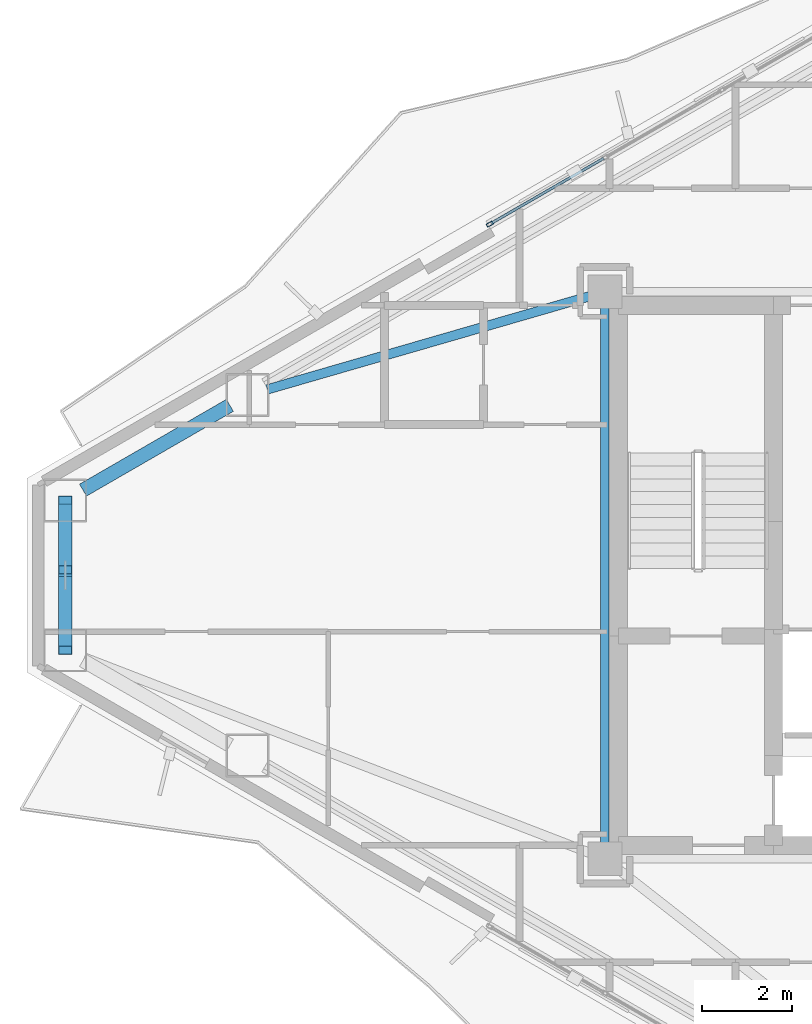
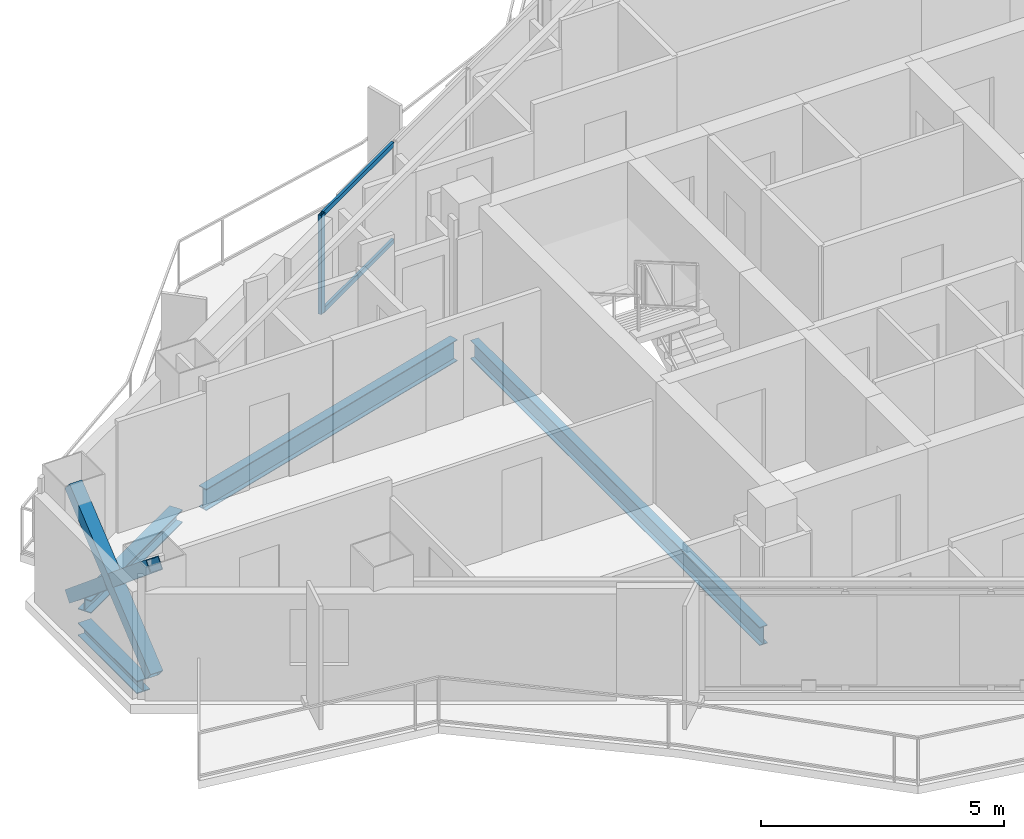
# One storey, part 7 of 22: 6 members, 4 beams, 1 element without a shape of its own.
"""IFC4 building model written with IfcOpenShell, lengths in metres."""

from ifc_helpers import new_model, si_unit, direction, frame, origin, origin_2d, place, context, subcontext, project, spatial, hollow_rectangle, i_section, extrude, material, layer, layer_set, material_profile, profile_set, type_object, element, aggregate, save


model = new_model("IFC4")

# Units and contexts
model_context = context("Model", 3, precision=1e-05, world=origin(), true_north=direction((0.0, 1.0)))
body_context = subcontext(model_context, "Body", "Model", "MODEL_VIEW")
ifc_project = project(units=[si_unit("LENGTHUNIT", "METRE"), si_unit("AREAUNIT", "SQUARE_METRE"), si_unit("VOLUMEUNIT", "CUBIC_METRE"), si_unit("PLANEANGLEUNIT", "RADIAN"), si_unit("MASSUNIT", "GRAM", prefix="KILO")], contexts=[model_context])

# Site, building, storey
site_placement = place(None, origin())
site = spatial("IfcSite", under=ifc_project, at=site_placement, CompositionType="ELEMENT")
building_placement = place(site_placement, origin())
building = spatial("IfcBuilding", under=site, at=building_placement, Name="Mersakhor Tower and Convention Hall", CompositionType="ELEMENT")
storey_placement = place(building_placement, frame((0.0, 0.0, 192.0)))
storey = spatial("IfcBuildingStorey", under=building, at=storey_placement, Name="L53", CompositionType="ELEMENT", Elevation=192.0)

# Beams
ifc_material_1 = material(Name="Steel S355", Category="steel")
ifc_material_profile_1 = material_profile(ifc_material_1, i_section(OverallWidth=0.19140625, OverallDepth=0.4599609375, WebThickness=0.010009765625, FlangeThickness=0.01611328125, at=origin_2d()), Name="UB 457x191x82")
ifc_profile_set_1 = profile_set([ifc_material_profile_1], Name="Steel S355")
beam_type_1 = type_object("IfcBeamType", Name="BM-FB-457", PredefinedType="BEAM", material=ifc_profile_set_1)
beam_1_placement = place(storey_placement, frame((21.89990234375, 20.804931640625, -0.4599609375), z_axis=(0.0, 1.0, 0.0), x_axis=(-1.0, 0.0, 0.0)))
element("IfcBeam", 1, at=beam_1_placement, inside=storey, type_object=beam_type_1, Name="L53 Core Ring Tie Beam CRB-1", PredefinedType="BEAM", context=body_context, shape_type="SweptSolid", body=[
    extrude(i_section(OverallWidth=0.19140625, OverallDepth=0.4599609375, WebThickness=0.010009765625, FlangeThickness=0.01611328125, at=origin_2d()), origin(), (0.0, 0.0, 1.0), 11.89013671875),
])
ifc_material_2 = material(Name="Steel S355", Category="steel")
ifc_material_profile_2 = material_profile(ifc_material_2, i_section(OverallWidth=0.2099609375, OverallDepth=0.53662109375, WebThickness=0.0107421875, FlangeThickness=0.017333984375, at=origin_2d()), Name="UB 533x210x101")
ifc_profile_set_2 = profile_set([ifc_material_profile_2], Name="Steel S355")
beam_type_2 = type_object("IfcBeamType", Name="BM-FB-533", PredefinedType="BEAM", material=ifc_profile_set_2)
beam_2_placement = place(storey_placement, frame((21.55908203125, 32.951416015625, -0.498291015625), z_axis=(-0.960669154125, -0.277695474059, 0.0), x_axis=(0.277695474059, -0.960669154125, 0.0)))
element("IfcBeam", 2, at=beam_2_placement, inside=storey, type_object=beam_type_2, Name="L53 Primary Floor Girder FG-1", PredefinedType="BEAM", context=body_context, shape_type="SweptSolid", body=[
    extrude(i_section(OverallWidth=0.2099609375, OverallDepth=0.53662109375, WebThickness=0.0107421875, FlangeThickness=0.017333984375, at=origin_2d()), origin(), (0.0, 0.0, 1.0), 7.455322265625),
])
ifc_material_3 = material(Name="Steel S355", Category="steel")
ifc_material_profile_3 = material_profile(ifc_material_3, i_section(OverallWidth=0.30908203125, OverallDepth=0.320556640625, WebThickness=0.013916015625, FlangeThickness=0.021728515625, at=origin_2d()), Name="UC 305x305x137")
ifc_profile_set_3 = profile_set([ifc_material_profile_3], Name="Steel S355")
beam_type_3 = type_object("IfcBeamType", Name="BM-SPD-UC305", PredefinedType="SPANDREL", material=ifc_profile_set_3)
beam_3_placement = place(storey_placement, frame((10.301513671875, 28.642822265625, -0.39013671875), z_axis=(0.866046450459, 0.499963544319, 0.0), x_axis=(-0.499963544319, 0.866046450459, 0.0)))
element("IfcBeam", 3, at=beam_3_placement, inside=storey, type_object=beam_type_3, Name="L53 Perimeter Spandrel Beam SPB-01", PredefinedType="SPANDREL", context=body_context, shape_type="SweptSolid", body=[
    extrude(i_section(OverallWidth=0.30908203125, OverallDepth=0.320556640625, WebThickness=0.013916015625, FlangeThickness=0.021728515625, at=origin_2d()), origin(), (0.0, 0.0, 1.0), 3.769287109375),
])
beam_4_placement = place(storey_placement, frame((9.907470703125, 25.539794921875, -0.39013671875), z_axis=(0.0, 1.0, 0.0), x_axis=(-1.0, 0.0, 0.0)))
element("IfcBeam", 4, at=beam_4_placement, inside=storey, type_object=beam_type_3, Name="L53 Perimeter Spandrel Beam SPB-12", PredefinedType="SPANDREL", context=body_context, shape_type="SweptSolid", body=[
    extrude(i_section(OverallWidth=0.30908203125, OverallDepth=0.320556640625, WebThickness=0.013916015625, FlangeThickness=0.021728515625, at=origin_2d()), origin(), (0.0, 0.0, 1.0), 2.42041015625),
])

# Curtain wall, members
ifc_material_4 = material(Name="Dark solar low-E aluminium curtain wall", Category="aluminium")
ifc_layer = layer(ifc_material_4, 0.169921875)
ifc_layer_set = layer_set([ifc_layer], Name="Dark solar low-E aluminium curtain wall")
curtain_wall_type = type_object("IfcCurtainWallType", Name="CW-SYS-02", PredefinedType="USERDEFINED", material=ifc_layer_set)
curtain_wall_placement = place(storey_placement, origin())
curtain_wall = element("IfcCurtainWall", 5, at=curtain_wall_placement, inside=storey, type_object=curtain_wall_type, Name="L53 Dark-Glass Curtain Wall F1-B2", ObjectType="CURTAIN WALL", PredefinedType="USERDEFINED")
ifc_material_5 = material(Name="Anodised aluminium EN AW-6063 T6", Category="aluminium")
ifc_material_profile_4 = material_profile(ifc_material_5, hollow_rectangle(XDim=0.074951171875, YDim=0.14990234375, WallThickness=0.00634765625, at=origin_2d()), Name="RHS 150x75x6.3")
ifc_profile_set_4 = profile_set([ifc_material_profile_4], Name="Anodised aluminium EN AW-6063 T6")
member_type_1 = type_object("IfcMemberType", Name="CWM-150x75", PredefinedType="MULLION", material=ifc_profile_set_4)
member_1_placement = place(storey_placement, frame((19.341796875, 34.554931640625, 0.199951171875), z_axis=(0.0, 0.0, 1.0), x_axis=(-0.500007824483, 0.86602088627, 0.0)))
member_1 = element("IfcMember", 6, at=member_1_placement, type_object=member_type_1, Name="CW-02 mullion 1", PredefinedType="MULLION", context=body_context, shape_type="SweptSolid", body=[
    extrude(hollow_rectangle(XDim=0.074951171875, YDim=0.14990234375, WallThickness=0.00634765625, at=origin_2d()), origin(), (0.0, 0.0, 1.0), 2.489990234375),
])
ifc_material_6 = material(Name="Anodised aluminium EN AW-6063 T6", Category="aluminium")
ifc_material_profile_5 = material_profile(ifc_material_6, hollow_rectangle(XDim=0.06005859375, YDim=0.1201171875, WallThickness=0.0048828125, at=origin_2d()), Name="RHS 120x60x5")
ifc_profile_set_5 = profile_set([ifc_material_profile_5], Name="Anodised aluminium EN AW-6063 T6")
member_type_2 = type_object("IfcMemberType", Name="CWT-120x60", PredefinedType="USERDEFINED", material=ifc_profile_set_5)
member_2_placement = place(storey_placement, frame((19.374267578125, 34.573486328125, 0.22998046875), z_axis=(0.86601237176, 0.50002257145, 0.0), x_axis=(-0.50002257145, 0.86601237176, 0.0)))
member_2 = element("IfcMember", 7, at=member_2_placement, type_object=member_type_2, Name="CW-02 transom 1.1", ObjectType="TRANSOM", PredefinedType="USERDEFINED", context=body_context, shape_type="SweptSolid", body=[
    extrude(hollow_rectangle(XDim=0.06005859375, YDim=0.1201171875, WallThickness=0.0048828125, at=origin_2d()), origin(), (0.0, 0.0, 1.0), 2.886962890625),
])
member_3_placement = place(storey_placement, frame((19.374267578125, 34.573486328125, 2.659912109375), z_axis=(0.86601237176, 0.50002257145, 0.0), x_axis=(-0.50002257145, 0.86601237176, 0.0)))
member_3 = element("IfcMember", 8, at=member_3_placement, type_object=member_type_2, Name="CW-02 transom 1.2", ObjectType="TRANSOM", PredefinedType="USERDEFINED", context=body_context, shape_type="SweptSolid", body=[
    extrude(hollow_rectangle(XDim=0.06005859375, YDim=0.1201171875, WallThickness=0.0048828125, at=origin_2d()), origin(), (0.0, 0.0, 1.0), 2.886962890625),
])
aggregate(curtain_wall, [member_1, member_2, member_3])

# Members
ifc_material_7 = material(Name="Steel S355", Category="steel")
ifc_material_profile_6 = material_profile(ifc_material_7, hollow_rectangle(XDim=0.300048828125, YDim=0.300048828125, WallThickness=0.01611328125, at=origin_2d()), Name="SHS 300x300x16")
ifc_profile_set_6 = profile_set([ifc_material_profile_6], Name="Steel S355")
member_type_3 = type_object("IfcMemberType", Name="MB-BRC-SHS300", PredefinedType="BRACE", material=ifc_profile_set_6)
member_4_placement = place(storey_placement, frame((9.907470703125, 25.084716796875, 0.14990234375), z_axis=(0.0, 0.768839937868, 0.639441279508), x_axis=(-1.0, 0.0, 0.0)))
element("IfcMember", 9, at=member_4_placement, inside=storey, type_object=member_type_3, Name="L53 Chamfer Braced Frame Diagonal CB-3A", PredefinedType="BRACE", context=body_context, shape_type="SweptSolid", body=[
    extrude(hollow_rectangle(XDim=0.300048828125, YDim=0.300048828125, WallThickness=0.01611328125, at=origin_2d()), origin(), (0.0, 0.0, 1.0), 4.33203125),
])
member_5_placement = place(storey_placement, frame((9.907470703125, 28.415283203125, 0.14990234375), z_axis=(0.0, -0.768839543052, 0.63944175422), x_axis=(1.0, 0.0, 0.0)))
element("IfcMember", 10, at=member_5_placement, inside=storey, type_object=member_type_3, Name="L53 Chamfer Braced Frame Diagonal CB-3B Lower Half", PredefinedType="BRACE", context=body_context, shape_type="SweptSolid", body=[
    extrude(hollow_rectangle(XDim=0.300048828125, YDim=0.300048828125, WallThickness=0.01611328125, at=origin_2d()), origin(), (0.0, 0.0, 1.0), 2.005615234375),
])
member_6_placement = place(storey_placement, frame((9.907470703125, 26.626708984375, 1.6376953125), z_axis=(0.0, -0.768899389676, 0.639369790149), x_axis=(1.0, 0.0, 0.0)))
element("IfcMember", 11, at=member_6_placement, inside=storey, type_object=member_type_3, Name="L53 Chamfer Braced Frame Diagonal CB-3B Upper Half", PredefinedType="BRACE", context=body_context, shape_type="SweptSolid", body=[
    extrude(hollow_rectangle(XDim=0.300048828125, YDim=0.300048828125, WallThickness=0.01611328125, at=origin_2d()), origin(), (0.0, 0.0, 1.0), 2.00537109375),
])

save(model, "model.ifc")
